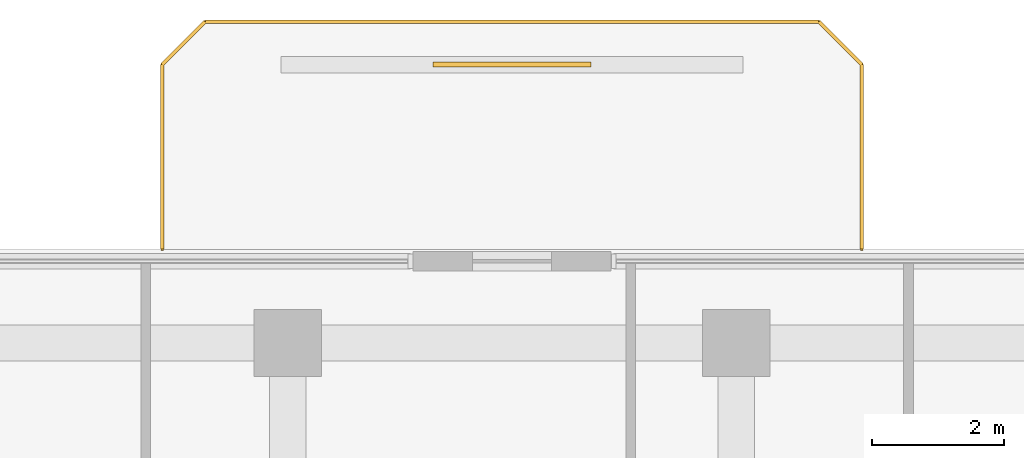
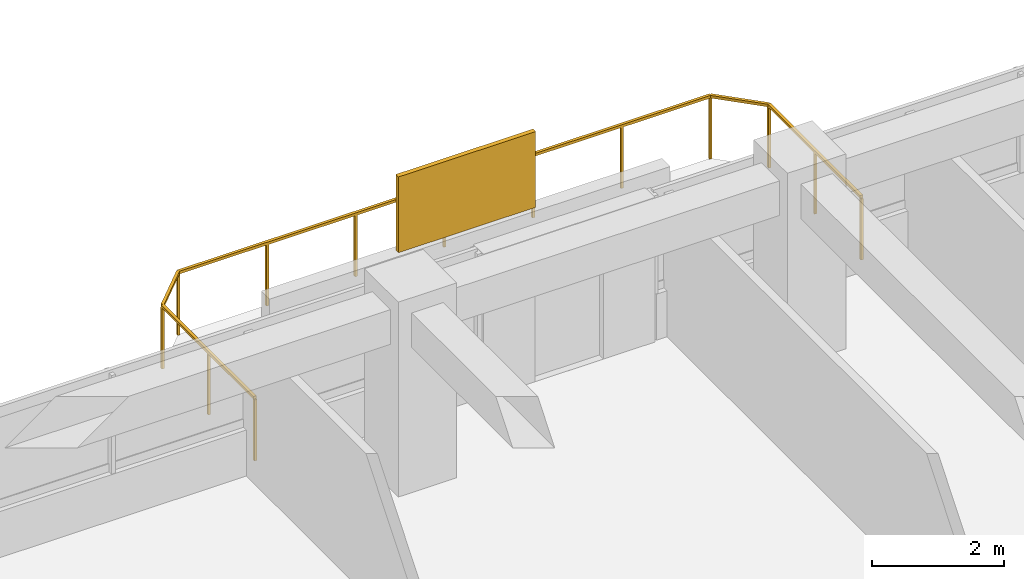
# One storey, part 14 of 14: 1 railing, 1 shading device.
"""IFC4 building model written with IfcOpenShell, lengths in metres."""

from ifc_helpers import new_model, si_unit, derived_unit, direction, frame, origin, origin_2d, place, context, subcontext, project, spatial, rectangle, extrude, material, layer, layer_set, type_object, element, save


model = new_model("IFC4")

# Units and contexts
model_context = context("Model", 3, precision=1e-05, world=origin(), true_north=direction((0.0, 1.0)))
body_context = subcontext(model_context, "Body", "Model", "MODEL_VIEW")
ifc_project = project(units=[si_unit("LENGTHUNIT", "METRE"), si_unit("AREAUNIT", "SQUARE_METRE"), si_unit("VOLUMEUNIT", "CUBIC_METRE"), si_unit("PLANEANGLEUNIT", "RADIAN"), si_unit("MASSUNIT", "GRAM", prefix="KILO"), derived_unit("THERMALTRANSMITTANCEUNIT", [(si_unit("POWERUNIT", "WATT"), 1), (si_unit("LENGTHUNIT", "METRE"), -2), (si_unit("THERMODYNAMICTEMPERATUREUNIT", "KELVIN"), -1)])], contexts=[model_context])

# Site, building, storey
site_placement = place(None, origin())
site = spatial("IfcSite", under=ifc_project, at=site_placement, CompositionType="ELEMENT")
building_placement = place(site_placement, origin())
building = spatial("IfcBuilding", under=site, at=building_placement, Name="Koralith Skygarden Medical Center", CompositionType="ELEMENT")
storey_placement = place(building_placement, frame((0.0, 0.0, 81.179931640625)))
storey = spatial("IfcBuildingStorey", under=building, at=storey_placement, Name="L20", CompositionType="ELEMENT", Elevation=81.179931640625)

# Railing
ifc_material_1 = material(Name="Steel ASTM A500 Grade C", Category="steel")
railing_type = type_object("IfcRailingType", Name="Outdoor Terrace & Balcony Safety Guardrail 1180", PredefinedType="GUARDRAIL", material=ifc_material_1)
railing_placement = place(storey_placement, frame((42.300048828125, 48.300048828125, 0.0)))
element("IfcRailing", 1, at=railing_placement, inside=storey, type_object=railing_type, Name="L20 N Balcony Perimeter Guardrail", PredefinedType="GUARDRAIL", context=body_context, shape_type="SweptSolid", body=[
    extrude(rectangle(XDim=0.050048828125, YDim=0.050048828125, at=origin_2d()), frame((0.0, 0.001953125, 1.15478515625), z_axis=(0.0, 1.0, 0.0), x_axis=(-1.0, 0.0, 0.0)), (0.0, 0.0, 1.0), 2.796142578125),
    extrude(rectangle(XDim=0.050048828125, YDim=0.050048828125, at=origin_2d()), frame((-0.00146484375, 2.801513671875, 1.15478515625), z_axis=(-0.707239558722, 0.706973978714, 0.0), x_axis=(-0.706973978714, -0.707239558722, 0.0)), (0.0, 0.0, 1.0), 0.915283203125),
    extrude(rectangle(XDim=0.050048828125, YDim=0.050048828125, at=origin_2d()), frame((-0.652099609375, 3.449951171875, 1.15478515625), z_axis=(-1.0, 0.0, 0.0), x_axis=(0.0, -1.0, 0.0)), (0.0, 0.0, 1.0), 9.2958984375),
    extrude(rectangle(XDim=0.050048828125, YDim=0.050048828125, at=origin_2d()), frame((-9.951416015625, 3.448486328125, 1.15478515625), z_axis=(-0.707239558722, -0.706973978714, 0.0), x_axis=(0.706973978714, -0.707239558722, 0.0)), (0.0, 0.0, 1.0), 0.915283203125),
    extrude(rectangle(XDim=0.050048828125, YDim=0.050048828125, at=origin_2d()), frame((-10.60009765625, 2.798095703125, 1.15478515625), z_axis=(0.0, -1.0, 0.0), x_axis=(1.0, 0.0, 0.0)), (0.0, 0.0, 1.0), 2.796142578125),
    extrude(rectangle(XDim=0.0419921875, YDim=0.0419921875, at=origin_2d()), origin(), (0.0, 0.0, 1.0), 1.1279296875),
    extrude(rectangle(XDim=0.0419921875, YDim=0.0419921875, at=origin_2d()), frame((0.0, 1.39990234375, 0.0)), (0.0, 0.0, 1.0), 1.1279296875),
    extrude(rectangle(XDim=0.0419921875, YDim=0.0419921875, at=origin_2d()), frame((0.0, 2.800048828125, 0.0)), (0.0, 0.0, 1.0), 1.1279296875),
    extrude(rectangle(XDim=0.0419921875, YDim=0.0419921875, at=origin_2d()), frame((-0.650146484375, 3.449951171875, 0.0)), (0.0, 0.0, 1.0), 1.1279296875),
    extrude(rectangle(XDim=0.0419921875, YDim=0.0419921875, at=origin_2d()), frame((-2.2001953125, 3.449951171875, 0.0)), (0.0, 0.0, 1.0), 1.1279296875),
    extrude(rectangle(XDim=0.0419921875, YDim=0.0419921875, at=origin_2d()), frame((-3.75, 3.449951171875, 0.0)), (0.0, 0.0, 1.0), 1.1279296875),
    extrude(rectangle(XDim=0.0419921875, YDim=0.0419921875, at=origin_2d()), frame((-5.300048828125, 3.449951171875, 0.0)), (0.0, 0.0, 1.0), 1.1279296875),
    extrude(rectangle(XDim=0.0419921875, YDim=0.0419921875, at=origin_2d()), frame((-6.85009765625, 3.449951171875, 0.0)), (0.0, 0.0, 1.0), 1.1279296875),
    extrude(rectangle(XDim=0.0419921875, YDim=0.0419921875, at=origin_2d()), frame((-8.39990234375, 3.449951171875, 0.0)), (0.0, 0.0, 1.0), 1.1279296875),
    extrude(rectangle(XDim=0.0419921875, YDim=0.0419921875, at=origin_2d()), frame((-9.949951171875, 3.449951171875, 0.0)), (0.0, 0.0, 1.0), 1.1279296875),
    extrude(rectangle(XDim=0.0419921875, YDim=0.0419921875, at=origin_2d()), frame((-10.60009765625, 2.800048828125, 0.0)), (0.0, 0.0, 1.0), 1.1279296875),
    extrude(rectangle(XDim=0.0419921875, YDim=0.0419921875, at=origin_2d()), frame((-10.60009765625, 1.39990234375, 0.0)), (0.0, 0.0, 1.0), 1.1279296875),
    extrude(rectangle(XDim=0.0419921875, YDim=0.0419921875, at=origin_2d()), frame((-10.60009765625, 0.0, 0.0)), (0.0, 0.0, 1.0), 1.1279296875),
])

# Shading device
ifc_material_2 = material(Name="Aluminium 6063-T6", Category="aluminium")
ifc_layer = layer(ifc_material_2, 0.080078125)
ifc_layer_set = layer_set([ifc_layer], Name="Aluminium 6063-T6")
shading_device_type = type_object("IfcShadingDeviceType", Name="Perforated Biophilic Balcony Trellis Screen", PredefinedType="USERDEFINED", material=ifc_layer_set)
shading_device_placement = place(storey_placement, frame((37.0, 51.10009765625, 0.72021484375), z_axis=(0.0, 0.0, 1.0), x_axis=(1.0, 0.0, 0.0)))
element("IfcShadingDevice", 2, at=shading_device_placement, inside=storey, type_object=shading_device_type, Name="L20 N Biophilic Balcony Trellis Screen", ObjectType="HURRICANE SCREEN", PredefinedType="USERDEFINED", context=body_context, shape_type="SweptSolid", body=[
    extrude(rectangle(XDim=2.39990234375, YDim=0.080078125, at=origin_2d()), origin(), (0.0, 0.0, 1.0), 1.39990234375),
])

save(model, "model.ifc")
